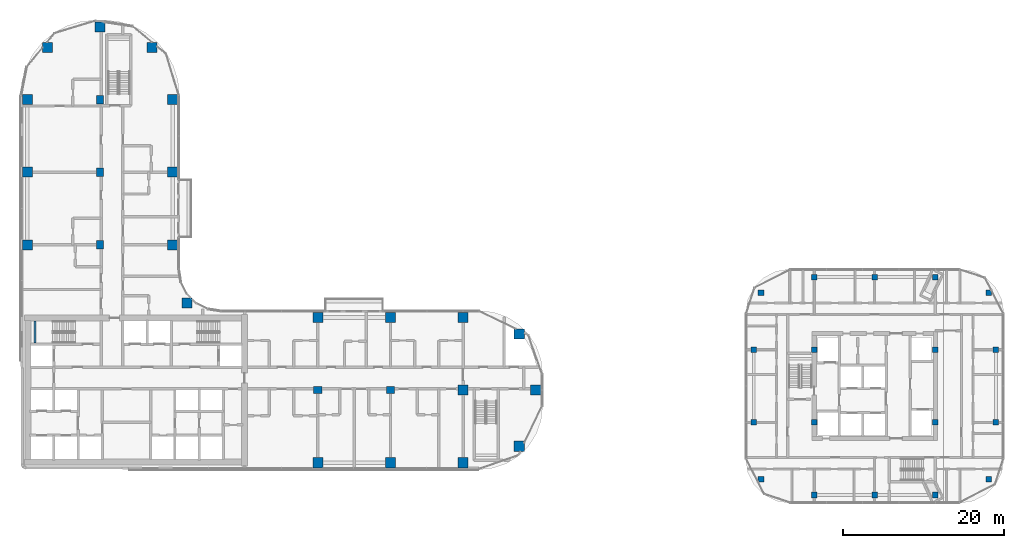
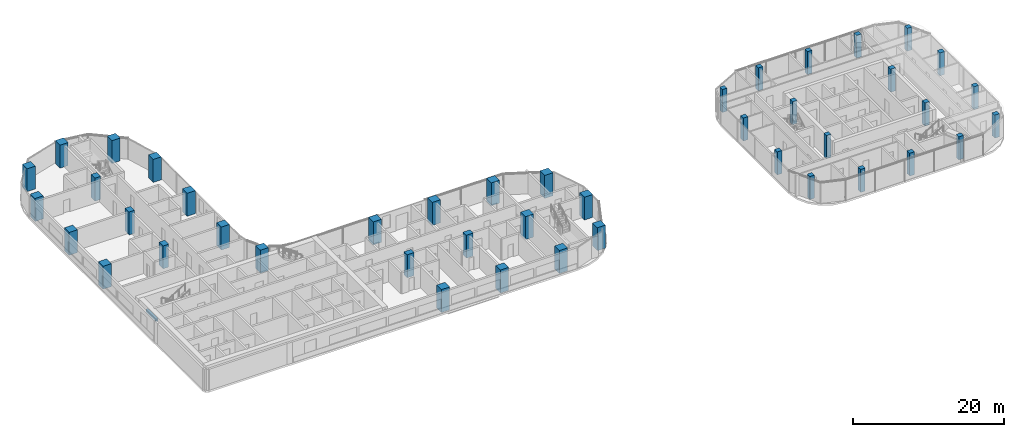
# One storey, part 1 of 35: 43 columns, 1 beam.
"""IFC4 building model written with IfcOpenShell, lengths in metres."""

from ifc_helpers import new_model, si_unit, direction, frame, origin, origin_2d, place, context, subcontext, project, spatial, rectangle, extrude, material, material_profile, profile_set, type_object, element, save


model = new_model("IFC4")

# Units and contexts
model_context = context("Model", 3, precision=1e-05, world=origin(), true_north=direction((0.0, 1.0)))
body_context = subcontext(model_context, "Body", "Model", "MODEL_VIEW")
ifc_project = project(units=[si_unit("LENGTHUNIT", "METRE"), si_unit("AREAUNIT", "SQUARE_METRE"), si_unit("VOLUMEUNIT", "CUBIC_METRE"), si_unit("PLANEANGLEUNIT", "RADIAN"), si_unit("MASSUNIT", "GRAM", prefix="KILO")], contexts=[model_context])

# Site, building, storey
site_placement = place(None, origin())
site = spatial("IfcSite", under=ifc_project, at=site_placement, CompositionType="ELEMENT")
building_placement = place(site_placement, origin())
building = spatial("IfcBuilding", under=site, at=building_placement, Name="Ogive Portal Towers", CompositionType="ELEMENT")
storey_placement = place(building_placement, frame((0.0, 0.0, 90.800048828125)))
storey = spatial("IfcBuildingStorey", under=building, at=storey_placement, Name="L21", CompositionType="ELEMENT", Elevation=90.800048828125)

# Columns
ifc_material_1 = material(Name="Concrete C60/75", Category="concrete")
ifc_material_profile_1 = material_profile(ifc_material_1, rectangle(XDim=1.050048828125, YDim=0.85009765625, at=origin_2d()), Name="RC 1050x850")
ifc_profile_set_1 = profile_set([ifc_material_profile_1], Name="Concrete C60/75")
column_type_1 = type_object("IfcColumnType", Name="COLUMN RC 1050x850", PredefinedType="COLUMN", material=ifc_profile_set_1)
for number, where, z_axis, x_axis, name in (
    (1, (67.5, 30.5, 0.0), (0.0, 0.0, 1.0), (1.0, 0.0, 0.0), "Column 5/B L21"),
    (2, (76.5, 30.5, 0.0), (0.0, 0.0, 1.0), (1.0, 0.0, 0.0), "Column 6/B L21"),
    (3, (40.5, 48.5, 0.0), (0.0, 0.0, 1.0), (0.0, 1.0, 0.0), "Column 2/D L21"),
    (4, (40.5, 57.5, 0.0), (0.0, 0.0, 1.0), (0.0, 1.0, 0.0), "Column 2/E L21"),
    (5, (40.5, 66.5, 0.0), (0.0, 0.0, 1.0), (0.0, 1.0, 0.0), "Column 2/F L21"),
):
    element("IfcColumn", number, at=place(storey_placement, frame(where, z_axis=z_axis, x_axis=x_axis)), inside=storey, type_object=column_type_1, Name=name, PredefinedType="COLUMN", context=body_context, shape_type="SweptSolid", body=[
        extrude(rectangle(XDim=1.050048828125, YDim=0.85009765625, at=origin_2d()), origin(), (0.0, 0.0, 1.0), 3.699951171875),
    ])
ifc_material_profile_2 = material_profile(ifc_material_1, rectangle(XDim=1.25, YDim=1.25, at=origin_2d()), Name="RC 1250x1250")
ifc_profile_set_2 = profile_set([ifc_material_profile_2], Name="Concrete C60/75")
column_type_2 = type_object("IfcColumnType", Name="COLUMN RC 1250x1250", PredefinedType="COLUMN", material=ifc_profile_set_2)
for number, where, z_axis, x_axis, name in (
    (6, (67.5, 21.5, 0.0), (0.0, 0.0, 1.0), (1.0, 0.0, 0.0), "Column 5/A L21"),
    (7, (76.5, 21.5, 0.0), (0.0, 0.0, 1.0), (1.0, 0.0, 0.0), "Column 6/A L21"),
    (8, (85.5, 21.5, 0.0), (0.0, 0.0, 1.0), (1.0, 0.0, 0.0), "Column 7/A L21"),
    (9, (92.449951171875, 23.550048828125, 0.0), (0.0, 0.0, 1.0), (1.0, 0.0, 0.0), "Column L21"),
    (10, (85.5, 30.5, 0.0), (0.0, 0.0, 1.0), (1.0, 0.0, 0.0), "Column 7/B L21"),
    (11, (94.5, 30.5, 0.0), (0.0, 0.0, 1.0), (1.0, 0.0, 0.0), "Column 8/B L21"),
    (12, (92.449951171875, 37.449951171875, 0.0), (0.0, 0.0, 1.0), (1.0, 0.0, 0.0), "Column L21"),
    (13, (67.5, 39.5, 0.0), (0.0, 0.0, 1.0), (1.0, 0.0, 0.0), "Column 5/C L21"),
    (14, (76.5, 39.5, 0.0), (0.0, 0.0, 1.0), (1.0, 0.0, 0.0), "Column 6/C L21"),
    (15, (85.5, 39.5, 0.0), (0.0, 0.0, 1.0), (1.0, 0.0, 0.0), "Column 7/C L21"),
    (16, (51.31005859375, 41.31005859375, 0.0), (0.0, 0.0, 1.0), (1.0, 0.0, 0.0), "Column L21"),
    (17, (31.5, 48.5, 0.0), (0.0, 0.0, 1.0), (1.0, 0.0, 0.0), "Column 1/D L21"),
    (18, (49.5, 48.5, 0.0), (0.0, 0.0, 1.0), (1.0, 0.0, 0.0), "Column 3/D L21"),
    (19, (31.5, 57.5, 0.0), (0.0, 0.0, 1.0), (1.0, 0.0, 0.0), "Column 1/E L21"),
    (20, (49.5, 57.5, 0.0), (0.0, 0.0, 1.0), (1.0, 0.0, 0.0), "Column 3/E L21"),
    (21, (31.5, 66.5, 0.0), (0.0, 0.0, 1.0), (1.0, 0.0, 0.0), "Column 1/F L21"),
    (22, (49.5, 66.5, 0.0), (0.0, 0.0, 1.0), (1.0, 0.0, 0.0), "Column 3/F L21"),
    (23, (34.027099609375, 72.972900390625, 0.0), (0.0, 0.0, 1.0), (1.0, 0.0, 0.0), "Column L21"),
    (24, (46.972900390625, 72.972900390625, 0.0), (0.0, 0.0, 1.0), (1.0, 0.0, 0.0), "Column L21"),
    (25, (40.5, 75.5, 0.0), (0.0, 0.0, 1.0), (1.0, 0.0, 0.0), "Column 2/G L21"),
):
    element("IfcColumn", number, at=place(storey_placement, frame(where, z_axis=z_axis, x_axis=x_axis)), inside=storey, type_object=column_type_2, Name=name, PredefinedType="COLUMN", context=body_context, shape_type="SweptSolid", body=[
        extrude(rectangle(XDim=1.25, YDim=1.25, at=origin_2d()), origin(), (0.0, 0.0, 1.0), 3.699951171875),
    ])
ifc_material_2 = material(Name="Concrete C50/60", Category="concrete")
ifc_material_profile_3 = material_profile(ifc_material_2, rectangle(XDim=0.699951171875, YDim=0.699951171875, at=origin_2d()), Name="RC 700x700")
ifc_profile_set_3 = profile_set([ifc_material_profile_3], Name="Concrete C50/60")
column_type_3 = type_object("IfcColumnType", Name="COLUMN RC 700x700", PredefinedType="COLUMN", material=ifc_profile_set_3)
for number, where, z_axis, x_axis, name in (
    (26, (129.0, 17.5, 0.0), (0.0, 0.0, 1.0), (1.0, 0.0, 0.0), "Column 12/H L21"),
    (27, (136.5, 17.5, 0.0), (0.0, 0.0, 1.0), (1.0, 0.0, 0.0), "Column 13/H L21"),
    (28, (144.0, 17.5, 0.0), (0.0, 0.0, 1.0), (1.0, 0.0, 0.0), "Column 14/H L21"),
    (29, (122.40087890625, 19.44189453125, 0.0), (0.0, 0.0, 1.0), (1.0, 0.0, 0.0), "Column L21"),
    (30, (150.59912109375, 19.44189453125, 0.0), (0.0, 0.0, 1.0), (1.0, 0.0, 0.0), "Column L21"),
    (31, (121.5, 26.5, 0.0), (0.0, 0.0, 1.0), (1.0, 0.0, 0.0), "Column 11/J L21"),
    (32, (129.0, 26.5, 0.0), (0.0, 0.0, 1.0), (1.0, 0.0, 0.0), "Column 12/J L21"),
    (33, (144.0, 26.5, 0.0), (0.0, 0.0, 1.0), (1.0, 0.0, 0.0), "Column 14/J L21"),
    (34, (151.5, 26.5, 0.0), (0.0, 0.0, 1.0), (1.0, 0.0, 0.0), "Column 15/J L21"),
    (35, (121.5, 35.5, 0.0), (0.0, 0.0, 1.0), (1.0, 0.0, 0.0), "Column 11/K L21"),
    (36, (129.0, 35.5, 0.0), (0.0, 0.0, 1.0), (1.0, 0.0, 0.0), "Column 12/K L21"),
    (37, (144.0, 35.5, 0.0), (0.0, 0.0, 1.0), (1.0, 0.0, 0.0), "Column 14/K L21"),
    (38, (151.5, 35.5, 0.0), (0.0, 0.0, 1.0), (1.0, 0.0, 0.0), "Column 15/K L21"),
    (39, (122.40087890625, 42.55810546875, 0.0), (0.0, 0.0, 1.0), (1.0, 0.0, 0.0), "Column L21"),
    (40, (150.59912109375, 42.55810546875, 0.0), (0.0, 0.0, 1.0), (1.0, 0.0, 0.0), "Column L21"),
    (41, (129.0, 44.5, 0.0), (0.0, 0.0, 1.0), (1.0, 0.0, 0.0), "Column 12/L L21"),
    (42, (136.5, 44.5, 0.0), (0.0, 0.0, 1.0), (1.0, 0.0, 0.0), "Column 13/L L21"),
    (43, (144.0, 44.5, 0.0), (0.0, 0.0, 1.0), (1.0, 0.0, 0.0), "Column 14/L L21"),
):
    element("IfcColumn", number, at=place(storey_placement, frame(where, z_axis=z_axis, x_axis=x_axis)), inside=storey, type_object=column_type_3, Name=name, PredefinedType="COLUMN", context=body_context, shape_type="SweptSolid", body=[
        extrude(rectangle(XDim=0.699951171875, YDim=0.699951171875, at=origin_2d()), origin(), (0.0, 0.0, 1.0), 3.699951171875),
    ])

# Beam
ifc_material_3 = material(Name="Concrete C40/50", Category="concrete")
ifc_material_profile_4 = material_profile(ifc_material_3, rectangle(XDim=0.300048828125, YDim=0.39990234375, at=origin_2d()), Name="RC 300x400")
ifc_profile_set_4 = profile_set([ifc_material_profile_4], Name="Concrete C40/50")
beam_type = type_object("IfcBeamType", Name="BEAM RC 300x400", PredefinedType="BEAM", material=ifc_profile_set_4)
beam_placement = place(storey_placement, frame((32.449951171875, 36.35009765625, 1.449951171875), z_axis=(0.0, 1.0, 0.0), x_axis=(-1.0, 0.0, 0.0)))
element("IfcBeam", 44, at=beam_placement, inside=storey, type_object=beam_type, Name="Landing beam L21", PredefinedType="BEAM", context=body_context, shape_type="SweptSolid", body=[
    extrude(rectangle(XDim=0.300048828125, YDim=0.39990234375, at=origin_2d()), origin(), (0.0, 0.0, 1.0), 2.699951171875),
])

save(model, "model.ifc")
